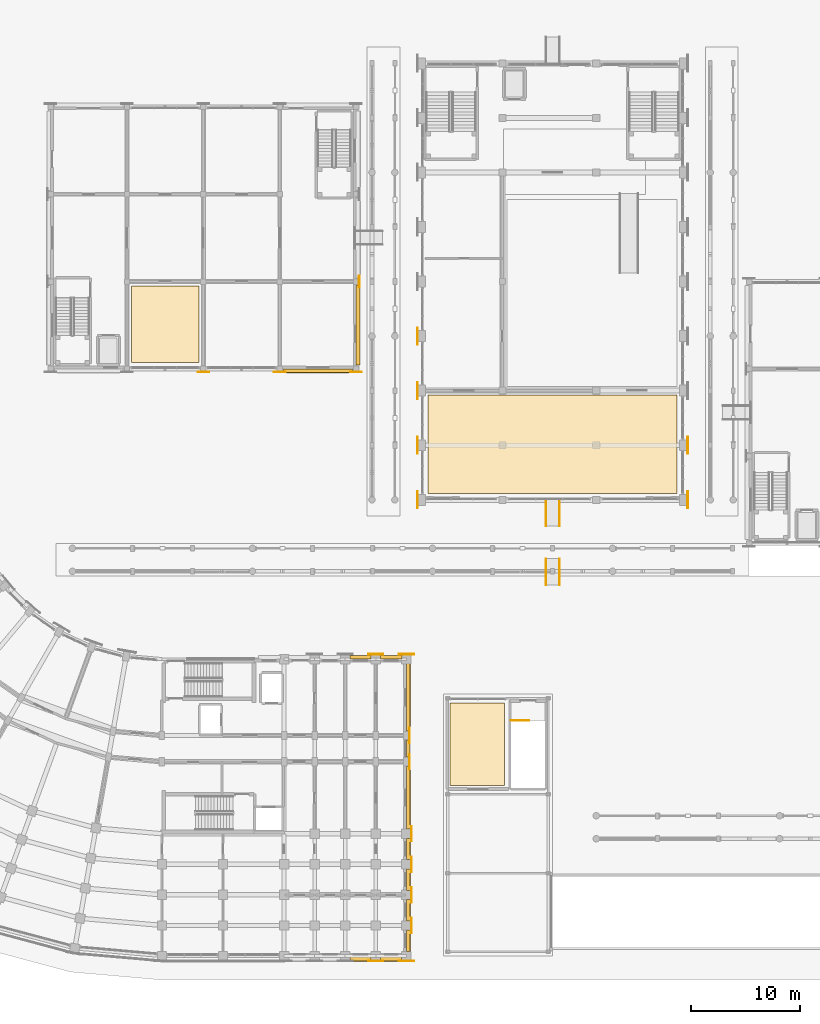
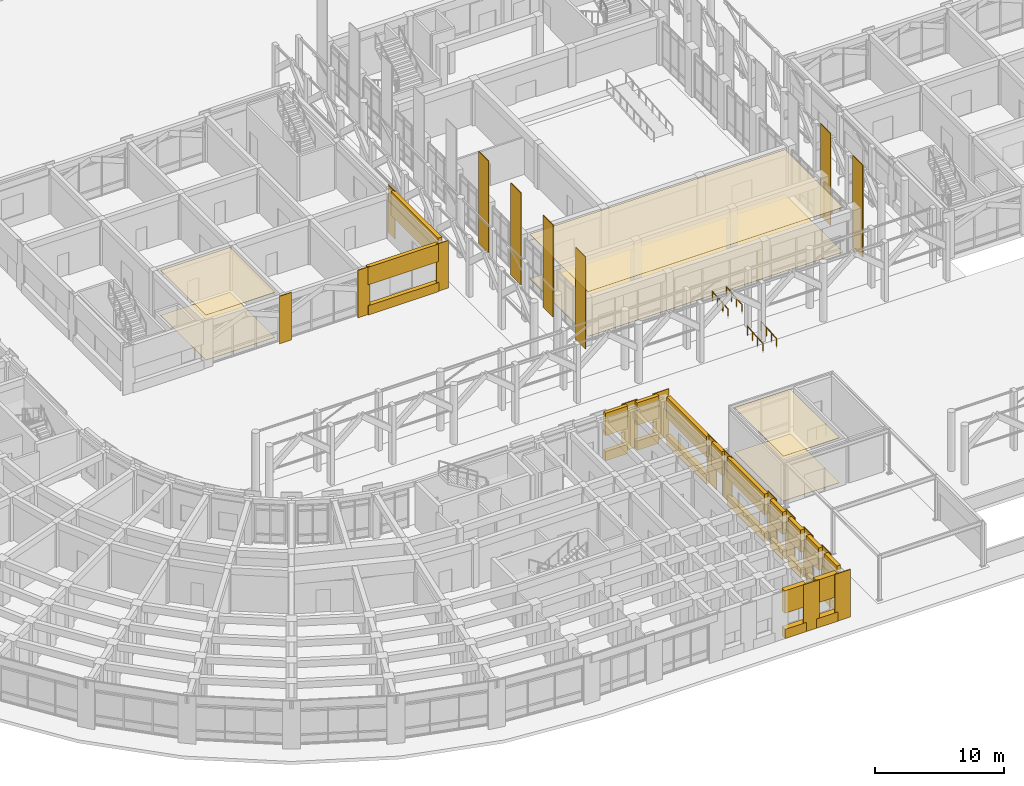
# One storey, part 120 of 135: 50 coverings, 5 railings.
"""IFC4 building model written with IfcOpenShell, lengths in metres."""

from ifc_helpers import new_model, si_unit, direction, frame, origin, origin_2d, place, context, subcontext, project, spatial, polyline, circle, outline, extrude, material, layer, layer_set, type_object, element, save


model = new_model("IFC4")

# Units and contexts
model_context = context("Model", 3, precision=1e-05, world=origin(), true_north=direction((0.0, 1.0)))
body_context = subcontext(model_context, "Body", "Model", "MODEL_VIEW")
ifc_project = project(units=[si_unit("LENGTHUNIT", "METRE"), si_unit("AREAUNIT", "SQUARE_METRE"), si_unit("VOLUMEUNIT", "CUBIC_METRE"), si_unit("PLANEANGLEUNIT", "RADIAN"), si_unit("MASSUNIT", "GRAM", prefix="KILO")], contexts=[model_context])

# Site, building, storey
site_placement = place(None, origin())
site = spatial("IfcSite", under=ifc_project, at=site_placement, CompositionType="ELEMENT")
building_placement = place(site_placement, origin())
building = spatial("IfcBuilding", under=site, at=building_placement, Name="Kiranvali Square Residences", CompositionType="ELEMENT")
storey_placement = place(building_placement, origin())
storey = spatial("IfcBuildingStorey", under=building, at=storey_placement, Name="L00", CompositionType="ELEMENT", Elevation=0.0)

# Coverings
ifc_material_1 = material(Name="Perforated acoustic mineral-fibre and gypsum board ceiling", Category="gypsum")
ifc_layer_1 = layer(ifc_material_1, 0.030029296875)
ifc_layer_set_1 = layer_set([ifc_layer_1], Name="Perforated acoustic mineral-fibre and gypsum board ceiling")
covering_type_1 = type_object("IfcCoveringType", Name="COV-CEIL-ACOUSTIC", PredefinedType="CEILING", material=ifc_layer_set_1)
covering_1_placement = place(storey_placement, frame((0.0, 0.0, 4.219970703125)))
element("IfcCovering", 1, at=covering_1_placement, inside=storey, type_object=covering_type_1, Name="Community Hall entrance foyer acoustic ceiling", PredefinedType="CEILING", context=body_context, shape_type="SweptSolid", body=[
    extrude(outline(polyline([(72.60009765625, 44.60009765625), (95.39990234375, 44.60009765625), (95.39990234375, 53.60009765625), (72.60009765625, 53.60009765625), (72.60009765625, 44.60009765625)])), origin(), (0.0, 0.0, 1.0), 0.030029296875),
])
covering_2_placement = place(storey_placement, frame((0.0, 0.0, 4.25)))
element("IfcCovering", 2, at=covering_2_placement, inside=storey, type_object=covering_type_1, Name="Nursery Montessori Classroom acoustic ceiling", PredefinedType="CEILING", context=body_context, shape_type="SweptSolid", body=[
    extrude(outline(polyline([(45.39990234375, 56.60009765625), (51.60009765625, 56.60009765625), (51.60009765625, 63.60009765625), (45.39990234375, 63.60009765625), (45.39990234375, 56.60009765625)])), origin(), (0.0, 0.0, 1.0), 0.030029296875),
])
ifc_layer_2 = layer(ifc_material_1, 0.02197265625)
ifc_layer_set_2 = layer_set([ifc_layer_2], Name="Perforated acoustic mineral-fibre and gypsum board ceiling")
covering_type_2 = type_object("IfcCoveringType", Name="COV-CEIL-GYP22", PredefinedType="CEILING", material=ifc_layer_set_2)
covering_3_placement = place(storey_placement, frame((0.0, 0.0, 4.22998046875)))
element("IfcCovering", 3, at=covering_3_placement, inside=storey, type_object=covering_type_2, Name="Fire Command and Estate Control Room acoustic ceiling", PredefinedType="CEILING", context=body_context, shape_type="SweptSolid", body=[
    extrude(outline(polyline([(74.60009765625, 17.800048828125), (79.60009765625, 17.800048828125), (79.60009765625, 25.39990234375), (74.60009765625, 25.39990234375), (74.60009765625, 17.800048828125)])), origin(), (0.0, 0.0, 1.0), 0.030029296875),
])
ifc_material_2 = material(Name="Honed Porbandar limestone ashlar facade cladding", Category="masonry")
ifc_layer_3 = layer(ifc_material_2, 0.06494140625)
ifc_layer_set_3 = layer_set([ifc_layer_3], Name="Honed Porbandar limestone ashlar facade cladding")
covering_type_3 = type_object("IfcCoveringType", Name="COV-CLAD-PIER", PredefinedType="CLADDING", material=ifc_layer_set_3)
covering_4_placement = place(storey_placement, frame((0.0, 0.0, 0.0048828125)))
element("IfcCovering", 4, at=covering_4_placement, inside=storey, type_object=covering_type_3, Name="L00 Community Hall buttressed stone pier CLAD-CH-W1", PredefinedType="CLADDING", context=body_context, shape_type="SweptSolid", body=[
    extrude(outline(polyline([(71.6494140625, 43.219970703125), (71.6494140625, 44.780029296875), (71.58203125, 44.780029296875), (71.58203125, 43.219970703125), (71.6494140625, 43.219970703125)])), origin(), (0.0, 0.0, 1.0), 8.690185546875),
])
covering_5_placement = place(storey_placement, frame((0.0, 0.0, 0.0048828125)))
element("IfcCovering", 5, at=covering_5_placement, inside=storey, type_object=covering_type_3, Name="L00 Community Hall buttressed stone pier CLAD-CH-E1", PredefinedType="CLADDING", context=body_context, shape_type="SweptSolid", body=[
    extrude(outline(polyline([(96.41796875, 43.219970703125), (96.41796875, 44.780029296875), (96.3505859375, 44.780029296875), (96.3505859375, 43.219970703125), (96.41796875, 43.219970703125)])), origin(), (0.0, 0.0, 1.0), 8.690185546875),
])
covering_6_placement = place(storey_placement, frame((0.0, 0.0, 0.0048828125)))
element("IfcCovering", 6, at=covering_6_placement, inside=storey, type_object=covering_type_3, Name="L00 Community Hall buttressed stone pier CLAD-CH-W2", PredefinedType="CLADDING", context=body_context, shape_type="SweptSolid", body=[
    extrude(outline(polyline([(71.6494140625, 48.219970703125), (71.6494140625, 49.780029296875), (71.58203125, 49.780029296875), (71.58203125, 48.219970703125), (71.6494140625, 48.219970703125)])), origin(), (0.0, 0.0, 1.0), 8.690185546875),
])
covering_7_placement = place(storey_placement, frame((0.0, 0.0, 0.0048828125)))
element("IfcCovering", 7, at=covering_7_placement, inside=storey, type_object=covering_type_3, Name="L00 Community Hall buttressed stone pier CLAD-CH-E2", PredefinedType="CLADDING", context=body_context, shape_type="SweptSolid", body=[
    extrude(outline(polyline([(96.41796875, 48.219970703125), (96.41796875, 49.780029296875), (96.3505859375, 49.780029296875), (96.3505859375, 48.219970703125), (96.41796875, 48.219970703125)])), origin(), (0.0, 0.0, 1.0), 8.690185546875),
])
covering_8_placement = place(storey_placement, frame((0.0, 0.0, 0.0048828125)))
element("IfcCovering", 8, at=covering_8_placement, inside=storey, type_object=covering_type_3, Name="L00 Community Hall buttressed stone pier CLAD-CH-W3", PredefinedType="CLADDING", context=body_context, shape_type="SweptSolid", body=[
    extrude(outline(polyline([(71.6494140625, 53.219970703125), (71.6494140625, 54.780029296875), (71.58203125, 54.780029296875), (71.58203125, 53.219970703125), (71.6494140625, 53.219970703125)])), origin(), (0.0, 0.0, 1.0), 8.690185546875),
])
covering_9_placement = place(storey_placement, frame((0.0, 0.0, 0.0048828125)))
element("IfcCovering", 9, at=covering_9_placement, inside=storey, type_object=covering_type_3, Name="L00 Community Hall buttressed stone pier CLAD-CH-W4", PredefinedType="CLADDING", context=body_context, shape_type="SweptSolid", body=[
    extrude(outline(polyline([(71.6494140625, 58.219970703125), (71.6494140625, 59.780029296875), (71.58203125, 59.780029296875), (71.58203125, 58.219970703125), (71.6494140625, 58.219970703125)])), origin(), (0.0, 0.0, 1.0), 8.690185546875),
])
covering_10_placement = place(storey_placement, frame((0.0, 0.0, 0.0048828125)))
element("IfcCovering", 10, at=covering_10_placement, inside=storey, type_object=covering_type_3, Name="L00 Classical limestone pilaster casing CLAD-NR-L00-S2", PredefinedType="CLADDING", context=body_context, shape_type="SweptSolid", body=[
    extrude(outline(polyline([(51.469970703125, 55.681884765625), (52.530029296875, 55.681884765625), (52.530029296875, 55.74951171875), (51.469970703125, 55.74951171875), (51.469970703125, 55.681884765625)])), origin(), (0.0, 0.0, 1.0), 4.490234375),
])
covering_11_placement = place(storey_placement, frame((0.0, 0.0, 0.0048828125)))
element("IfcCovering", 11, at=covering_11_placement, inside=storey, type_object=covering_type_3, Name="L00 Classical limestone pilaster casing CLAD-NR-L00-S3", PredefinedType="CLADDING", context=body_context, shape_type="SweptSolid", body=[
    extrude(outline(polyline([(58.469970703125, 55.681884765625), (59.530029296875, 55.681884765625), (59.530029296875, 55.74951171875), (58.469970703125, 55.74951171875), (58.469970703125, 55.681884765625)])), origin(), (0.0, 0.0, 1.0), 4.490234375),
])
covering_12_placement = place(storey_placement, frame((0.0, 0.0, 0.0048828125)))
element("IfcCovering", 12, at=covering_12_placement, inside=storey, type_object=covering_type_3, Name="L00 Classical limestone pilaster casing CLAD-NR-L00-S4", PredefinedType="CLADDING", context=body_context, shape_type="SweptSolid", body=[
    extrude(outline(polyline([(65.469970703125, 55.681884765625), (66.530029296875, 55.681884765625), (66.530029296875, 55.74951171875), (65.469970703125, 55.74951171875), (65.469970703125, 55.681884765625)])), origin(), (0.0, 0.0, 1.0), 4.490234375),
])
covering_13_placement = place(storey_placement, frame((0.0, 0.0, 0.0048828125)))
element("IfcCovering", 13, at=covering_13_placement, inside=storey, type_object=covering_type_3, Name="L00 Classical limestone pilaster casing CLAD-NR-L00-E1", PredefinedType="CLADDING", context=body_context, shape_type="SweptSolid", body=[
    extrude(outline(polyline([(66.318115234375, 63.469970703125), (66.318115234375, 64.530029296875), (66.25048828125, 64.530029296875), (66.25048828125, 63.469970703125), (66.318115234375, 63.469970703125)])), origin(), (0.0, 0.0, 1.0), 4.490234375),
])
ifc_layer_4 = layer(ifc_material_2, 0.050048828125)
ifc_layer_set_4 = layer_set([ifc_layer_4], Name="Honed Porbandar limestone ashlar facade cladding")
covering_type_4 = type_object("IfcCoveringType", Name="COV-CLAD-PIER-IN", PredefinedType="CLADDING", material=ifc_layer_set_4)
covering_14_placement = place(storey_placement, frame((0.0, 0.0, 0.0048828125)))
element("IfcCovering", 14, at=covering_14_placement, inside=storey, type_object=covering_type_4, Name="L00 Classical limestone pilaster casing CLAD-PRA1I-C-L00-U195", PredefinedType="CLADDING", context=body_context, shape_type="SweptSolid", body=[
    extrude(outline(polyline([(67.094970703125, 29.825439453125), (68.5048828125, 29.825439453125), (68.5048828125, 29.89306640625), (67.094970703125, 29.89306640625), (67.094970703125, 29.825439453125)])), origin(), (0.0, 0.0, 1.0), 4.490234375),
])
covering_15_placement = place(storey_placement, frame((0.0, 0.0, 0.0048828125)))
element("IfcCovering", 15, at=covering_15_placement, inside=storey, type_object=covering_type_4, Name="L00 Classical limestone pilaster casing CLAD-PRA1I-C-L00-U224", PredefinedType="CLADDING", context=body_context, shape_type="SweptSolid", body=[
    extrude(outline(polyline([(69.89501953125, 29.825439453125), (71.304931640625, 29.825439453125), (71.304931640625, 29.89306640625), (69.89501953125, 29.89306640625), (69.89501953125, 29.825439453125)])), origin(), (0.0, 0.0, 1.0), 4.490234375),
])
ifc_layer_5 = layer(ifc_material_2, 0.054931640625)
ifc_layer_set_5 = layer_set([ifc_layer_5], Name="Honed Porbandar limestone ashlar facade cladding")
covering_type_5 = type_object("IfcCoveringType", Name="COV-CLAD-PIER-UP", PredefinedType="CLADDING", material=ifc_layer_set_5)
covering_16_placement = place(storey_placement, frame((0.0, 0.0, 0.0048828125)))
element("IfcCovering", 16, at=covering_16_placement, inside=storey, type_object=covering_type_5, Name="L00 Classical limestone pilaster casing CLAD-PRA1E-C-L00-R258", PredefinedType="CLADDING", context=body_context, shape_type="SweptSolid", body=[
    extrude(outline(polyline([(70.8505859375, 23.10498046875), (70.8505859375, 21.695068359375), (70.91796875, 21.695068359375), (70.91796875, 23.10498046875), (70.8505859375, 23.10498046875)])), origin(), (0.0, 0.0, 1.0), 4.490234375),
])
covering_17_placement = place(storey_placement, frame((0.0, 0.0, 0.0048828125)))
element("IfcCovering", 17, at=covering_17_placement, inside=storey, type_object=covering_type_5, Name="L00 Classical limestone pilaster casing CLAD-PRA1E-C-L00-R282", PredefinedType="CLADDING", context=body_context, shape_type="SweptSolid", body=[
    extrude(outline(polyline([(70.8505859375, 20.705078125), (70.8505859375, 19.294921875), (70.91796875, 19.294921875), (70.91796875, 20.705078125), (70.8505859375, 20.705078125)])), origin(), (0.0, 0.0, 1.0), 4.490234375),
])
covering_18_placement = place(storey_placement, frame((0.0, 0.0, 0.0048828125)))
element("IfcCovering", 18, at=covering_18_placement, inside=storey, type_object=covering_type_5, Name="L00 Classical limestone pilaster casing CLAD-PRA1E-C-L00-R348", PredefinedType="CLADDING", context=body_context, shape_type="SweptSolid", body=[
    extrude(outline(polyline([(71.025390625, 14.10498046875), (71.025390625, 12.695068359375), (71.093017578125, 12.695068359375), (71.093017578125, 14.10498046875), (71.025390625, 14.10498046875)])), origin(), (0.0, 0.0, 1.0), 4.490234375),
])
covering_19_placement = place(storey_placement, frame((0.0, 0.0, 0.0048828125)))
element("IfcCovering", 19, at=covering_19_placement, inside=storey, type_object=covering_type_5, Name="L00 Classical limestone pilaster casing CLAD-PRA1E-C-L00-R376", PredefinedType="CLADDING", context=body_context, shape_type="SweptSolid", body=[
    extrude(outline(polyline([(71.025390625, 11.304931640625), (71.025390625, 9.89501953125), (71.093017578125, 9.89501953125), (71.093017578125, 11.304931640625), (71.025390625, 11.304931640625)])), origin(), (0.0, 0.0, 1.0), 4.490234375),
])
covering_20_placement = place(storey_placement, frame((0.0, 0.0, 0.0048828125)))
element("IfcCovering", 20, at=covering_20_placement, inside=storey, type_object=covering_type_5, Name="L00 Classical limestone pilaster casing CLAD-PRA1E-C-L00-R404", PredefinedType="CLADDING", context=body_context, shape_type="SweptSolid", body=[
    extrude(outline(polyline([(71.025390625, 8.5048828125), (71.025390625, 7.094970703125), (71.093017578125, 7.094970703125), (71.093017578125, 8.5048828125), (71.025390625, 8.5048828125)])), origin(), (0.0, 0.0, 1.0), 4.490234375),
])
covering_21_placement = place(storey_placement, frame((0.0, 0.0, 0.0048828125)))
element("IfcCovering", 21, at=covering_21_placement, inside=storey, type_object=covering_type_5, Name="L00 Classical limestone pilaster casing CLAD-PRA1E-C-L00-R432", PredefinedType="CLADDING", context=body_context, shape_type="SweptSolid", body=[
    extrude(outline(polyline([(71.025390625, 5.705078125), (71.025390625, 4.294921875), (71.093017578125, 4.294921875), (71.093017578125, 5.705078125), (71.025390625, 5.705078125)])), origin(), (0.0, 0.0, 1.0), 4.490234375),
])
ifc_material_3 = material(Name="Alternating Deccan basalt and Porbandar limestone rusticated plinth ashlar", Category="masonry")
ifc_layer_6 = layer(ifc_material_3, 0.0849609375)
ifc_layer_set_6 = layer_set([ifc_layer_6], Name="Alternating Deccan basalt and Porbandar limestone rusticated plinth ashlar")
covering_type_6 = type_object("IfcCoveringType", Name="COV-CLAD-PLINTH", PredefinedType="CLADDING", material=ifc_layer_set_6)
covering_22_placement = place(storey_placement, frame((0.0, 0.0, 0.0048828125)))
element("IfcCovering", 22, at=covering_22_placement, inside=storey, type_object=covering_type_6, Name="L00 Classical limestone pilaster casing CLAD-PR-C-L00-U195", PredefinedType="CLADDING", context=body_context, shape_type="SweptSolid", body=[
    extrude(outline(polyline([(67.094970703125, 1.70703125), (68.5048828125, 1.70703125), (68.5048828125, 1.7744140625), (67.094970703125, 1.7744140625), (67.094970703125, 1.70703125)])), origin(), (0.0, 0.0, 1.0), 4.490234375),
])
covering_23_placement = place(storey_placement, frame((0.0, 0.0, 0.0048828125)))
element("IfcCovering", 23, at=covering_23_placement, inside=storey, type_object=covering_type_6, Name="L00 Classical limestone pilaster casing CLAD-PR-C-L00-U224", PredefinedType="CLADDING", context=body_context, shape_type="SweptSolid", body=[
    extrude(outline(polyline([(69.89501953125, 1.70703125), (71.304931640625, 1.70703125), (71.304931640625, 1.7744140625), (69.89501953125, 1.7744140625), (69.89501953125, 1.70703125)])), origin(), (0.0, 0.0, 1.0), 4.490234375),
])
ifc_layer_7 = layer(ifc_material_2, 0.360107421875)
ifc_layer_set_7 = layer_set([ifc_layer_7], Name="Honed Porbandar limestone ashlar facade cladding")
covering_type_7 = type_object("IfcCoveringType", Name="COV-CLAD-WALL", PredefinedType="CLADDING", material=ifc_layer_set_7)
covering_24_placement = place(storey_placement, frame((0.0, 0.0, 2.3798828125)))
element("IfcCovering", 24, at=covering_24_placement, inside=storey, type_object=covering_type_7, Name="L00 light limestone spandrel lintel C-L00-A1O-4", PredefinedType="CLADDING", context=body_context, shape_type="SweptSolid", body=[
    extrude(outline(polyline([(65.43994140625, 1.72509765625), (67.360107421875, 1.72509765625), (67.360107421875, 2.199462890625), (65.43994140625, 2.199462890625), (65.43994140625, 1.72509765625)])), origin(), (0.0, 0.0, 1.0), 2.115234375),
])
covering_25_placement = place(storey_placement, frame((0.0, 0.0, 0.0048828125)))
element("IfcCovering", 25, at=covering_25_placement, inside=storey, type_object=covering_type_7, Name="L00 limestone window sill apron C-L00-A1O-4", PredefinedType="CLADDING", context=body_context, shape_type="SweptSolid", body=[
    extrude(outline(polyline([(65.43994140625, 1.695068359375), (67.360107421875, 1.695068359375), (67.360107421875, 2.199462890625), (65.43994140625, 2.199462890625), (65.43994140625, 1.695068359375)])), origin(), (0.0, 0.0, 1.0), 0.875),
])
covering_26_placement = place(storey_placement, frame((0.0, 0.0, 2.330078125)))
element("IfcCovering", 26, at=covering_26_placement, inside=storey, type_object=covering_type_7, Name="L00 light limestone spandrel lintel C-L00-A1O-5", PredefinedType="CLADDING", context=body_context, shape_type="SweptSolid", body=[
    extrude(outline(polyline([(68.239990234375, 1.72509765625), (70.159912109375, 1.72509765625), (70.159912109375, 2.199462890625), (68.239990234375, 2.199462890625), (68.239990234375, 1.72509765625)])), origin(), (0.0, 0.0, 1.0), 2.1650390625),
])
covering_27_placement = place(storey_placement, frame((0.0, 0.0, 0.0048828125)))
element("IfcCovering", 27, at=covering_27_placement, inside=storey, type_object=covering_type_7, Name="L00 limestone window sill apron C-L00-A1O-5", PredefinedType="CLADDING", context=body_context, shape_type="SweptSolid", body=[
    extrude(outline(polyline([(68.239990234375, 1.695068359375), (70.159912109375, 1.695068359375), (70.159912109375, 2.199462890625), (68.239990234375, 2.199462890625), (68.239990234375, 1.695068359375)])), origin(), (0.0, 0.0, 1.0), 0.875),
])
covering_28_placement = place(storey_placement, frame((0.0, 0.0, 2.3798828125)))
element("IfcCovering", 28, at=covering_28_placement, inside=storey, type_object=covering_type_7, Name="L00 light limestone spandrel lintel C-L00-A1I-2", PredefinedType="CLADDING", context=body_context, shape_type="SweptSolid", body=[
    extrude(outline(polyline([(65.419921875, 29.400390625), (67.3798828125, 29.400390625), (67.3798828125, 29.719970703125), (65.419921875, 29.719970703125), (65.419921875, 29.400390625)])), origin(), (0.0, 0.0, 1.0), 2.115234375),
])
covering_29_placement = place(storey_placement, frame((0.0, 0.0, 0.0048828125)))
element("IfcCovering", 29, at=covering_29_placement, inside=storey, type_object=covering_type_7, Name="L00 limestone window sill apron C-L00-A1I-2", PredefinedType="CLADDING", context=body_context, shape_type="SweptSolid", body=[
    extrude(outline(polyline([(65.419921875, 29.400390625), (67.3798828125, 29.400390625), (67.3798828125, 29.75), (65.419921875, 29.75), (65.419921875, 29.400390625)])), origin(), (0.0, 0.0, 1.0), 0.875),
])
covering_30_placement = place(storey_placement, frame((0.0, 0.0, 2.3798828125)))
element("IfcCovering", 30, at=covering_30_placement, inside=storey, type_object=covering_type_7, Name="L00 light limestone spandrel lintel C-L00-A1I-3", PredefinedType="CLADDING", context=body_context, shape_type="SweptSolid", body=[
    extrude(outline(polyline([(68.219970703125, 29.400390625), (70.179931640625, 29.400390625), (70.179931640625, 29.719970703125), (68.219970703125, 29.719970703125), (68.219970703125, 29.400390625)])), origin(), (0.0, 0.0, 1.0), 2.115234375),
])
covering_31_placement = place(storey_placement, frame((0.0, 0.0, 0.0048828125)))
element("IfcCovering", 31, at=covering_31_placement, inside=storey, type_object=covering_type_7, Name="L00 limestone window sill apron C-L00-A1I-3", PredefinedType="CLADDING", context=body_context, shape_type="SweptSolid", body=[
    extrude(outline(polyline([(68.219970703125, 29.400390625), (70.179931640625, 29.400390625), (70.179931640625, 29.75), (68.219970703125, 29.75), (68.219970703125, 29.400390625)])), origin(), (0.0, 0.0, 1.0), 0.875),
])
covering_32_placement = place(storey_placement, frame((0.0, 0.0, 2.530029296875)))
element("IfcCovering", 32, at=covering_32_placement, inside=storey, type_object=covering_type_7, Name="L00 light limestone spandrel lintel C-L00-A1END-0", PredefinedType="CLADDING", context=body_context, shape_type="SweptSolid", body=[
    extrude(outline(polyline([(70.6005859375, 28.97998046875), (70.6005859375, 22.820068359375), (70.93994140625, 22.820068359375), (70.93994140625, 28.97998046875), (70.6005859375, 28.97998046875)])), origin(), (0.0, 0.0, 1.0), 1.965087890625),
])
covering_33_placement = place(storey_placement, frame((0.0, 0.0, 0.0048828125)))
element("IfcCovering", 33, at=covering_33_placement, inside=storey, type_object=covering_type_7, Name="L00 limestone window sill apron C-L00-A1END-0", PredefinedType="CLADDING", context=body_context, shape_type="SweptSolid", body=[
    extrude(outline(polyline([(70.6005859375, 28.97998046875), (70.6005859375, 22.820068359375), (70.969970703125, 22.820068359375), (70.969970703125, 28.97998046875), (70.6005859375, 28.97998046875)])), origin(), (0.0, 0.0, 1.0), 0.875),
])
covering_34_placement = place(storey_placement, frame((0.0, 0.0, 2.25)))
element("IfcCovering", 34, at=covering_34_placement, inside=storey, type_object=covering_type_7, Name="L00 light limestone spandrel lintel C-L00-A1END-1", PredefinedType="CLADDING", context=body_context, shape_type="SweptSolid", body=[
    extrude(outline(polyline([(70.6005859375, 21.97998046875), (70.6005859375, 20.419921875), (70.93994140625, 20.419921875), (70.93994140625, 21.97998046875), (70.6005859375, 21.97998046875)])), origin(), (0.0, 0.0, 1.0), 2.2451171875),
])
covering_35_placement = place(storey_placement, frame((0.0, 0.0, 2.530029296875)))
element("IfcCovering", 35, at=covering_35_placement, inside=storey, type_object=covering_type_7, Name="L00 light limestone spandrel lintel C-L00-A1END-2", PredefinedType="CLADDING", context=body_context, shape_type="SweptSolid", body=[
    extrude(outline(polyline([(70.6005859375, 19.580078125), (70.6005859375, 13.820068359375), (70.93994140625, 13.820068359375), (70.93994140625, 19.580078125), (70.6005859375, 19.580078125)])), origin(), (0.0, 0.0, 1.0), 1.965087890625),
])
covering_36_placement = place(storey_placement, frame((0.0, 0.0, 0.0048828125)))
element("IfcCovering", 36, at=covering_36_placement, inside=storey, type_object=covering_type_7, Name="L00 limestone window sill apron C-L00-A1END-2", PredefinedType="CLADDING", context=body_context, shape_type="SweptSolid", body=[
    extrude(outline(polyline([(70.6005859375, 19.580078125), (70.6005859375, 13.820068359375), (70.969970703125, 13.820068359375), (70.969970703125, 19.580078125), (70.6005859375, 19.580078125)])), origin(), (0.0, 0.0, 1.0), 0.875),
])
covering_37_placement = place(storey_placement, frame((0.0, 0.0, 2.3798828125)))
element("IfcCovering", 37, at=covering_37_placement, inside=storey, type_object=covering_type_7, Name="L00 light limestone spandrel lintel C-L00-A1END-3", PredefinedType="CLADDING", context=body_context, shape_type="SweptSolid", body=[
    extrude(outline(polyline([(70.6005859375, 12.97998046875), (70.6005859375, 11.02001953125), (70.93994140625, 11.02001953125), (70.93994140625, 12.97998046875), (70.6005859375, 12.97998046875)])), origin(), (0.0, 0.0, 1.0), 2.115234375),
])
covering_38_placement = place(storey_placement, frame((0.0, 0.0, 0.0048828125)))
element("IfcCovering", 38, at=covering_38_placement, inside=storey, type_object=covering_type_7, Name="L00 limestone window sill apron C-L00-A1END-3", PredefinedType="CLADDING", context=body_context, shape_type="SweptSolid", body=[
    extrude(outline(polyline([(70.6005859375, 12.97998046875), (70.6005859375, 11.02001953125), (70.969970703125, 11.02001953125), (70.969970703125, 12.97998046875), (70.6005859375, 12.97998046875)])), origin(), (0.0, 0.0, 1.0), 0.875),
])
covering_39_placement = place(storey_placement, frame((0.0, 0.0, 2.3798828125)))
element("IfcCovering", 39, at=covering_39_placement, inside=storey, type_object=covering_type_7, Name="L00 light limestone spandrel lintel C-L00-A1END-4", PredefinedType="CLADDING", context=body_context, shape_type="SweptSolid", body=[
    extrude(outline(polyline([(70.6005859375, 10.179931640625), (70.6005859375, 8.219970703125), (70.93994140625, 8.219970703125), (70.93994140625, 10.179931640625), (70.6005859375, 10.179931640625)])), origin(), (0.0, 0.0, 1.0), 2.115234375),
])
covering_40_placement = place(storey_placement, frame((0.0, 0.0, 0.0048828125)))
element("IfcCovering", 40, at=covering_40_placement, inside=storey, type_object=covering_type_7, Name="L00 limestone window sill apron C-L00-A1END-4", PredefinedType="CLADDING", context=body_context, shape_type="SweptSolid", body=[
    extrude(outline(polyline([(70.6005859375, 10.179931640625), (70.6005859375, 8.219970703125), (70.969970703125, 8.219970703125), (70.969970703125, 10.179931640625), (70.6005859375, 10.179931640625)])), origin(), (0.0, 0.0, 1.0), 0.875),
])
covering_41_placement = place(storey_placement, frame((0.0, 0.0, 2.3798828125)))
element("IfcCovering", 41, at=covering_41_placement, inside=storey, type_object=covering_type_7, Name="L00 light limestone spandrel lintel C-L00-A1END-5", PredefinedType="CLADDING", context=body_context, shape_type="SweptSolid", body=[
    extrude(outline(polyline([(70.6005859375, 7.3798828125), (70.6005859375, 5.419921875), (70.93994140625, 5.419921875), (70.93994140625, 7.3798828125), (70.6005859375, 7.3798828125)])), origin(), (0.0, 0.0, 1.0), 2.115234375),
])
covering_42_placement = place(storey_placement, frame((0.0, 0.0, 0.0048828125)))
element("IfcCovering", 42, at=covering_42_placement, inside=storey, type_object=covering_type_7, Name="L00 limestone window sill apron C-L00-A1END-5", PredefinedType="CLADDING", context=body_context, shape_type="SweptSolid", body=[
    extrude(outline(polyline([(70.6005859375, 7.3798828125), (70.6005859375, 5.419921875), (70.969970703125, 5.419921875), (70.969970703125, 7.3798828125), (70.6005859375, 7.3798828125)])), origin(), (0.0, 0.0, 1.0), 0.875),
])
covering_43_placement = place(storey_placement, frame((0.0, 0.0, 2.3798828125)))
element("IfcCovering", 43, at=covering_43_placement, inside=storey, type_object=covering_type_7, Name="L00 light limestone spandrel lintel C-L00-A1END-6", PredefinedType="CLADDING", context=body_context, shape_type="SweptSolid", body=[
    extrude(outline(polyline([(70.6005859375, 4.580078125), (70.6005859375, 2.6201171875), (70.93994140625, 2.6201171875), (70.93994140625, 4.580078125), (70.6005859375, 4.580078125)])), origin(), (0.0, 0.0, 1.0), 2.115234375),
])
covering_44_placement = place(storey_placement, frame((0.0, 0.0, 0.0048828125)))
element("IfcCovering", 44, at=covering_44_placement, inside=storey, type_object=covering_type_7, Name="L00 limestone window sill apron C-L00-A1END-6", PredefinedType="CLADDING", context=body_context, shape_type="SweptSolid", body=[
    extrude(outline(polyline([(70.6005859375, 4.580078125), (70.6005859375, 2.6201171875), (70.969970703125, 2.6201171875), (70.969970703125, 4.580078125), (70.6005859375, 4.580078125)])), origin(), (0.0, 0.0, 1.0), 0.875),
])
covering_45_placement = place(storey_placement, frame((0.0, 0.0, 2.830078125)))
element("IfcCovering", 45, at=covering_45_placement, inside=storey, type_object=covering_type_7, Name="L00 light limestone spandrel lintel NR-L00-S-3", PredefinedType="CLADDING", context=body_context, shape_type="SweptSolid", body=[
    extrude(outline(polyline([(59.35009765625, 55.64990234375), (65.64990234375, 55.64990234375), (65.64990234375, 55.99951171875), (59.35009765625, 55.99951171875), (59.35009765625, 55.64990234375)])), origin(), (0.0, 0.0, 1.0), 1.6650390625),
])
covering_46_placement = place(storey_placement, frame((0.0, 0.0, 0.0048828125)))
element("IfcCovering", 46, at=covering_46_placement, inside=storey, type_object=covering_type_7, Name="L00 limestone window sill apron NR-L00-S-3", PredefinedType="CLADDING", context=body_context, shape_type="SweptSolid", body=[
    extrude(outline(polyline([(59.35009765625, 55.6201171875), (65.64990234375, 55.6201171875), (65.64990234375, 55.99951171875), (59.35009765625, 55.99951171875), (59.35009765625, 55.6201171875)])), origin(), (0.0, 0.0, 1.0), 0.875),
])
covering_47_placement = place(storey_placement, frame((0.0, 0.0, 2.25)))
element("IfcCovering", 47, at=covering_47_placement, inside=storey, type_object=covering_type_7, Name="L00 light limestone spandrel lintel NR-L00-E-0", PredefinedType="CLADDING", context=body_context, shape_type="SweptSolid", body=[
    extrude(outline(polyline([(66.35009765625, 56.35009765625), (66.35009765625, 63.64990234375), (66.00048828125, 63.64990234375), (66.00048828125, 56.35009765625), (66.35009765625, 56.35009765625)])), origin(), (0.0, 0.0, 1.0), 2.2451171875),
])
ifc_material_4 = material(Name="Polished terrazzo and anti-slip vitrified floor finish", Category="stone")
ifc_layer_8 = layer(ifc_material_4, 0.02490234375)
ifc_layer_set_8 = layer_set([ifc_layer_8], Name="Polished terrazzo and anti-slip vitrified floor finish")
covering_type_8 = type_object("IfcCoveringType", Name="COV-FLR-STONE25", PredefinedType="FLOORING", material=ifc_layer_set_8)
covering_48_placement = place(storey_placement, origin())
element("IfcCovering", 48, at=covering_48_placement, inside=storey, type_object=covering_type_8, Name="Nursery Montessori Classroom terrazzo flooring", PredefinedType="FLOORING", context=body_context, shape_type="SweptSolid", body=[
    extrude(outline(polyline([(45.39990234375, 56.60009765625), (51.60009765625, 56.60009765625), (51.60009765625, 63.60009765625), (45.39990234375, 63.60009765625), (45.39990234375, 56.60009765625)])), origin(), (0.0, 0.0, 1.0), 0.030029296875),
])
ifc_layer_9 = layer(ifc_material_4, 0.0380859375)
ifc_layer_set_9 = layer_set([ifc_layer_9], Name="Polished terrazzo and anti-slip vitrified floor finish")
covering_type_9 = type_object("IfcCoveringType", Name="COV-FLR-STONE38", PredefinedType="FLOORING", material=ifc_layer_set_9)
covering_49_placement = place(storey_placement, origin())
element("IfcCovering", 49, at=covering_49_placement, inside=storey, type_object=covering_type_9, Name="Community Hall entrance foyer terrazzo flooring", PredefinedType="FLOORING", context=body_context, shape_type="SweptSolid", body=[
    extrude(outline(polyline([(72.60009765625, 44.60009765625), (95.39990234375, 44.60009765625), (95.39990234375, 53.60009765625), (72.60009765625, 53.60009765625), (72.60009765625, 44.60009765625)])), origin(), (0.0, 0.0, 1.0), 0.030029296875),
])
ifc_layer_10 = layer(ifc_material_4, 0.030029296875)
ifc_layer_set_10 = layer_set([ifc_layer_10], Name="Polished terrazzo and anti-slip vitrified floor finish")
covering_type_10 = type_object("IfcCoveringType", Name="COV-FLR-TERRAZZO", PredefinedType="FLOORING", material=ifc_layer_set_10)
covering_50_placement = place(storey_placement, origin())
element("IfcCovering", 50, at=covering_50_placement, inside=storey, type_object=covering_type_10, Name="Fire Command and Estate Control Room terrazzo flooring", PredefinedType="FLOORING", context=body_context, shape_type="SweptSolid", body=[
    extrude(outline(polyline([(74.60009765625, 17.800048828125), (79.60009765625, 17.800048828125), (79.60009765625, 25.39990234375), (74.60009765625, 25.39990234375), (74.60009765625, 17.800048828125)])), origin(), (0.0, 0.0, 1.0), 0.030029296875),
])

# Railings
ifc_material_5 = material(Name="Brushed stainless steel tubular handrail", Category="steel")
railing_type_1 = type_object("IfcRailingType", Name="RL-HANDRAIL-EXT-900", PredefinedType="HANDRAIL", material=ifc_material_5)
for number, where, name in (
    (51, (83.3798828125, 36.199951171875, -0.199951171875), "South Civic Square Accessible Ramp handrail L"),
    (52, (84.6201171875, 36.199951171875, -0.199951171875), "South Civic Square Accessible Ramp handrail R"),
):
    element("IfcRailing", number, at=place(storey_placement, frame(where)), inside=storey, type_object=railing_type_1, Name=name, PredefinedType="HANDRAIL", context=body_context, shape_type="SweptSolid", body=[
        extrude(circle(Radius=0.02392578125, at=origin_2d()), frame((0.0, 0.0, 0.8759765625), z_axis=(0.0, 0.996547855194, 0.083020312624), x_axis=(-1.0, 0.0, 0.0)), (0.0, 0.0, 1.0), 2.408447265625),
        extrude(circle(Radius=0.02099609375, at=origin_2d()), origin(), (0.0, 0.0, 1.0), 0.851806640625),
        extrude(circle(Radius=0.02099609375, at=origin_2d()), frame((0.0, 0.800048828125, 0.066650390625)), (0.0, 0.0, 1.0), 0.851806640625),
        extrude(circle(Radius=0.02099609375, at=origin_2d()), frame((0.0, 1.60009765625, 0.13330078125)), (0.0, 0.0, 1.0), 0.851806640625),
        extrude(circle(Radius=0.02099609375, at=origin_2d()), frame((0.0, 2.400146484375, 0.199951171875)), (0.0, 0.0, 1.0), 0.851806640625),
    ])
for number, where, name in (
    (53, (83.3798828125, 41.60009765625, -0.199951171875), "Community Hall Forecourt Accessible Ramp handrail L"),
    (54, (84.6201171875, 41.60009765625, -0.199951171875), "Community Hall Forecourt Accessible Ramp handrail R"),
):
    element("IfcRailing", number, at=place(storey_placement, frame(where)), inside=storey, type_object=railing_type_1, Name=name, PredefinedType="HANDRAIL", context=body_context, shape_type="SweptSolid", body=[
        extrude(circle(Radius=0.02392578125, at=origin_2d()), frame((0.0, 0.0, 0.8759765625), z_axis=(0.0, 0.996547156423, 0.083028700011), x_axis=(-1.0, 0.0, 0.0)), (0.0, 0.0, 1.0), 2.408203125),
        extrude(circle(Radius=0.02099609375, at=origin_2d()), origin(), (0.0, 0.0, 1.0), 0.851806640625),
        extrude(circle(Radius=0.02099609375, at=origin_2d()), frame((0.0, 0.800048828125, 0.066650390625)), (0.0, 0.0, 1.0), 0.851806640625),
        extrude(circle(Radius=0.02099609375, at=origin_2d()), frame((0.0, 1.599853515625, 0.13330078125)), (0.0, 0.0, 1.0), 0.851806640625),
        extrude(circle(Radius=0.02099609375, at=origin_2d()), frame((0.0, 2.39990234375, 0.199951171875)), (0.0, 0.0, 1.0), 0.851806640625),
    ])
ifc_material_6 = material(Name="Powder-coated architectural bronze balustrade", Category="steel")
railing_type_2 = type_object("IfcRailingType", Name="RL-ST-GUARD-1200", PredefinedType="GUARDRAIL", material=ifc_material_6)
railing_placement = place(storey_placement, frame((80.199951171875, 23.800048828125, 0.0)))
element("IfcRailing", 55, at=railing_placement, inside=storey, type_object=railing_type_2, Name="L00 ST-P1 top well guard 1", PredefinedType="GUARDRAIL", context=body_context, shape_type="SweptSolid", body=[
    extrude(circle(Radius=0.02392578125, at=origin_2d()), frame((0.0, 0.0, 1.1259765625), z_axis=(1.0, 0.0, 0.0), x_axis=(0.0, 1.0, 0.0)), (0.0, 0.0, 1.0), 1.650146484375),
    extrude(circle(Radius=0.02099609375, at=origin_2d()), origin(), (0.0, 0.0, 1.0), 1.101806640625),
    extrude(circle(Radius=0.02099609375, at=origin_2d()), frame((0.8251953125, 0.0, 0.0)), (0.0, 0.0, 1.0), 1.101806640625),
    extrude(circle(Radius=0.02099609375, at=origin_2d()), frame((1.650146484375, 0.0, 0.0)), (0.0, 0.0, 1.0), 1.101806640625),
])

save(model, "model.ifc")
